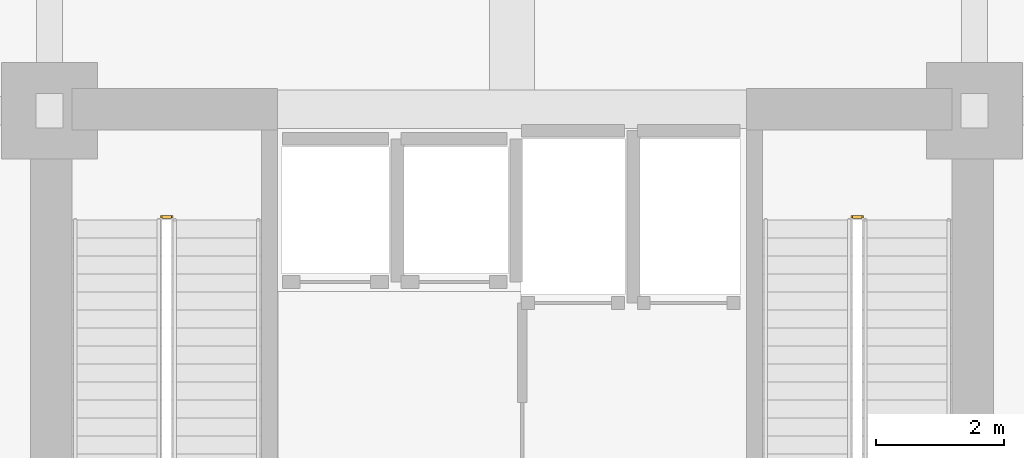
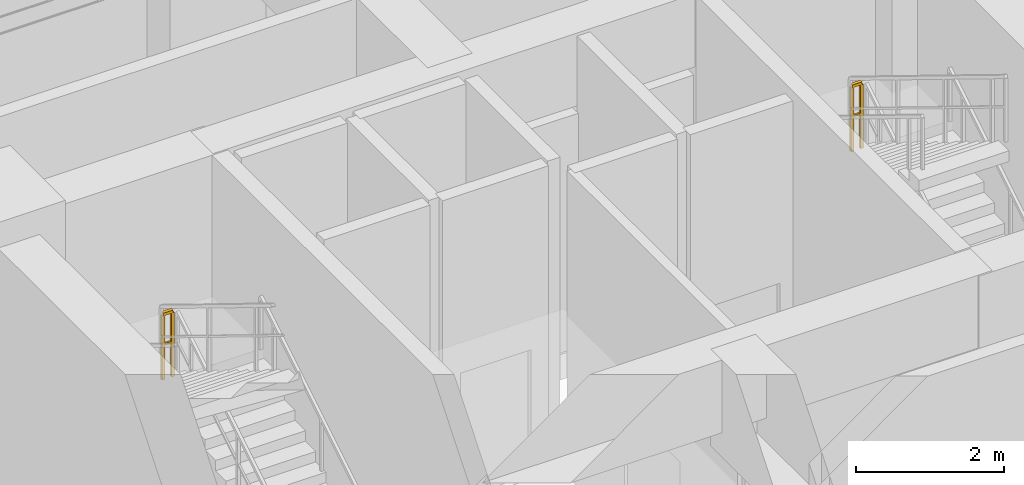
# One storey, part 9 of 9: 2 railings.
"""IFC4 building model written with IfcOpenShell, lengths in metres."""

from ifc_helpers import new_model, si_unit, direction, frame, origin, origin_2d, place, context, subcontext, project, spatial, rectangle, extrude, material, type_object, element, save


model = new_model("IFC4")

# Units and contexts
model_context = context("Model", 3, precision=1e-05, world=origin(), true_north=direction((0.0, 1.0)))
body_context = subcontext(model_context, "Body", "Model", "MODEL_VIEW")
ifc_project = project(units=[si_unit("LENGTHUNIT", "METRE"), si_unit("AREAUNIT", "SQUARE_METRE"), si_unit("VOLUMEUNIT", "CUBIC_METRE"), si_unit("PLANEANGLEUNIT", "RADIAN"), si_unit("MASSUNIT", "GRAM", prefix="KILO")], contexts=[model_context])

# Site, building, storey
site_placement = place(None, origin())
site = spatial("IfcSite", under=ifc_project, at=site_placement, CompositionType="ELEMENT")
building_placement = place(site_placement, origin())
building = spatial("IfcBuilding", under=site, at=building_placement, Name="Kaliganga Portal Commons", CompositionType="ELEMENT")
storey_placement = place(building_placement, frame((0.0, 0.0, 19.800048828125)))
storey = spatial("IfcBuildingStorey", under=building, at=storey_placement, Name="L04", CompositionType="ELEMENT", Elevation=19.800048828125)

# Railings
ifc_material = material(Name="Galvanized Painted Steel Balustrade", Category="steel")
railing_type = type_object("IfcRailingType", Name="RLG-STAIR-GRD", PredefinedType="GUARDRAIL", material=ifc_material)
for number, where, name in (
    (1, (16.300048828125, 34.5, 2.75), "L04 ST-A1 stair guard 2"),
    (2, (27.050048828125, 34.5, 2.75), "L04 ST-A2 stair guard 2"),
):
    element("IfcRailing", number, at=place(storey_placement, frame(where)), inside=storey, type_object=railing_type, Name=name, PredefinedType="GUARDRAIL", context=body_context, shape_type="SweptSolid", body=[
        extrude(rectangle(XDim=0.048095703125, YDim=0.048095703125, at=origin_2d()), frame((0.0, 0.0, 1.076171875), z_axis=(-1.0, 0.0, 0.0), x_axis=(0.0, -1.0, 0.0)), (0.0, 0.0, 1.0), 0.150146484375),
        extrude(rectangle(XDim=0.028076171875, YDim=0.028076171875, at=origin_2d()), frame((0.0, 0.0, 0.572021484375), z_axis=(-1.0, 0.0, 0.0), x_axis=(0.0, -1.0, 0.0)), (0.0, 0.0, 1.0), 0.150146484375),
        extrude(rectangle(XDim=0.0419921875, YDim=0.0419921875, at=origin_2d()), origin(), (0.0, 0.0, 1.0), 1.052001953125),
        extrude(rectangle(XDim=0.0419921875, YDim=0.0419921875, at=origin_2d()), frame((-0.150146484375, 0.0, 0.0)), (0.0, 0.0, 1.0), 1.052001953125),
    ])

save(model, "model.ifc")
